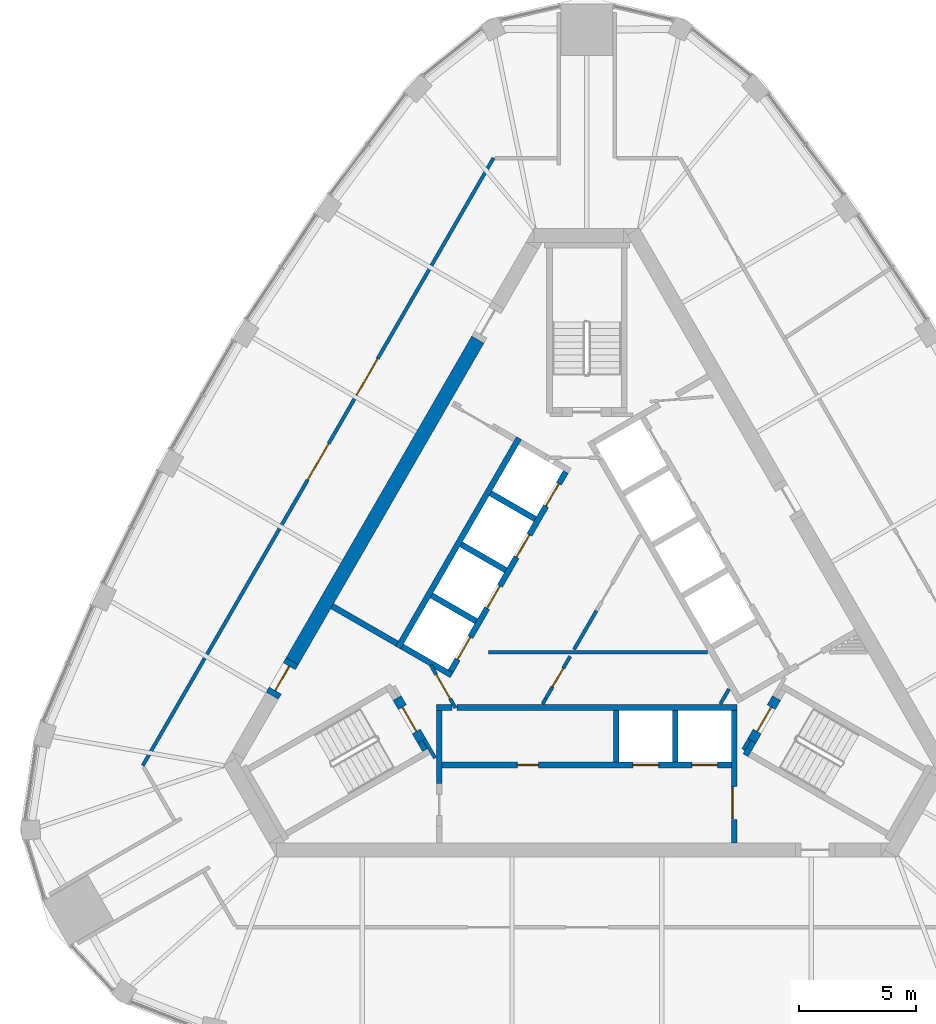
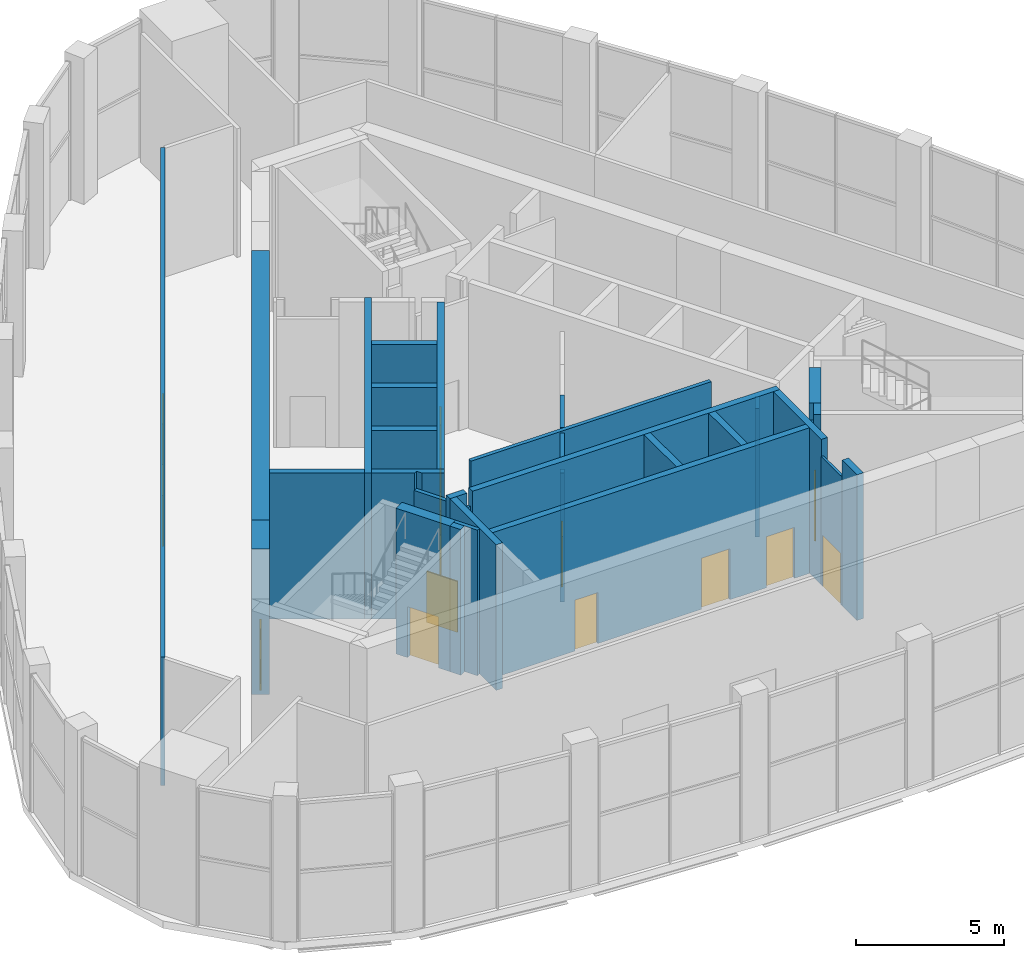
# One storey, part 10 of 15: 31 walls, 15 doors, 15 openings.
"""IFC4 building model written with IfcOpenShell, lengths in metres."""

from ifc_helpers import new_model, si_unit, direction, frame, frame_2d, origin, place, context, subcontext, project, spatial, polyline, rectangle, outline, extrude, material, layer, layer_set, type_object, element, fill, save


model = new_model("IFC4")

# Units and contexts
model_context = context("Model", 3, precision=1e-05, world=origin(), true_north=direction((0.0, 1.0)))
body_context = subcontext(model_context, "Body", "Model", "MODEL_VIEW")
ifc_project = project(units=[si_unit("LENGTHUNIT", "METRE"), si_unit("AREAUNIT", "SQUARE_METRE"), si_unit("VOLUMEUNIT", "CUBIC_METRE"), si_unit("PLANEANGLEUNIT", "RADIAN"), si_unit("MASSUNIT", "GRAM", prefix="KILO")], contexts=[model_context])

# Site, building, storey
site_placement = place(None, origin())
site = spatial("IfcSite", under=ifc_project, at=site_placement, CompositionType="ELEMENT")
building_placement = place(site_placement, origin())
building = spatial("IfcBuilding", under=site, at=building_placement, Name="Mestral Congress Tower", CompositionType="ELEMENT")
storey_placement = place(building_placement, frame((0.0, 0.0, 321.60009765625)))
storey = spatial("IfcBuildingStorey", under=building, at=storey_placement, Name="L75", CompositionType="ELEMENT", Elevation=321.60009765625)

# Walls
ifc_material_1 = material(Name="Fire-rated board partition")
ifc_layer_1 = layer(ifc_material_1, 0.14990234375)
ifc_layer_set_1 = layer_set([ifc_layer_1], Name="Fire-rated board partition")
wall_type_1 = type_object("IfcWallType", Name="Core partition 150", PredefinedType="PARTITIONING", material=ifc_layer_set_1)
wall_1_placement = place(storey_placement, frame((6.94482421875, -5.22216796875, 0.0), z_axis=(0.0, 0.0, 1.0), x_axis=(-0.499818422106, -0.866130212453, 0.0)))
element("IfcWall", 1, at=wall_1_placement, inside=storey, type_object=wall_type_1, Name="L75 core wall", PredefinedType="PARTITIONING", context=body_context, shape_type="SweptSolid", body=[
    extrude(rectangle(XDim=0.513916015625, YDim=0.14990234375, at=frame_2d((0.2568359375, 0.0))), origin(), (0.0, 0.0, 1.0), 5.2998046875),
])
wall_2_placement = place(storey_placement, frame((5.704833984375, -3.718017578125, 0.0), z_axis=(0.0, 0.0, 1.0), x_axis=(0.499962090823, 0.866047289552, 0.0)))
element("IfcWall", 2, at=wall_2_placement, inside=storey, type_object=wall_type_1, Name="L75 core wall", PredefinedType="PARTITIONING", context=body_context, shape_type="SweptSolid", body=[
    extrude(rectangle(XDim=0.73486328125, YDim=0.14990234375, at=frame_2d((0.367431640625, 0.0))), origin(), (0.0, 0.0, 1.0), 5.2998046875),
])
wall_3_placement = place(storey_placement, frame((-4.199951171875, -1.5, 0.0), z_axis=(0.0, 0.0, 1.0), x_axis=(1.0, 0.0, 0.0)))
element("IfcWall", 3, at=wall_3_placement, inside=storey, type_object=wall_type_1, Name="L75 core wall", PredefinedType="PARTITIONING", context=body_context, shape_type="SweptSolid", body=[
    extrude(rectangle(XDim=9.359375, YDim=0.14990234375, at=frame_2d((4.6796875, 0.0))), origin(), (0.0, 0.0, 1.0), 5.2998046875),
])
wall_4_placement = place(storey_placement, frame((-0.54443359375, -1.393310546875, 0.0), z_axis=(0.0, 0.0, 1.0), x_axis=(0.499928740635, 0.866066541489, 0.0)))
element("IfcWall", 4, at=wall_4_placement, inside=storey, type_object=wall_type_1, Name="L75 core wall", PredefinedType="PARTITIONING", context=body_context, shape_type="SweptSolid", body=[
    extrude(rectangle(XDim=1.912353515625, YDim=0.14990234375, at=frame_2d((0.9560546875, 0.0))), origin(), (0.0, 0.0, 1.0), 5.2998046875),
])
wall_5_placement = place(storey_placement, frame((-1.886962890625, -3.71826171875, 0.0), z_axis=(0.0, 0.0, 1.0), x_axis=(0.500165633897, 0.865929753888, 0.0)))
element("IfcWall", 5, at=wall_5_placement, inside=storey, type_object=wall_type_1, Name="L75 core wall", PredefinedType="PARTITIONING", context=body_context, shape_type="SweptSolid", body=[
    extrude(rectangle(XDim=0.25439453125, YDim=0.14990234375, at=frame_2d((0.127197265625, 0.0))), origin(), (0.0, 0.0, 1.0), 5.2998046875),
])

# Wall, opening, door
wall_6_placement = place(storey_placement, frame((-1.759765625, -3.498046875, 0.0), z_axis=(0.0, 0.0, 1.0), x_axis=(0.499977374825, 0.866038466041, 0.0)))
wall_6 = element("IfcWall", 6, at=wall_6_placement, inside=storey, type_object=wall_type_1, Name="L75 door wall", PredefinedType="PARTITIONING", context=body_context, shape_type="SweptSolid", body=[
    extrude(rectangle(XDim=2.10009765625, YDim=0.14990234375, at=frame_2d((1.050048828125, 0.0))), origin(), (0.0, 0.0, 1.0), 5.2998046875),
])
opening_1_placement = place(wall_6_placement, frame((0.60009765625, 0.0, 0.0)))
opening_1 = element("IfcOpeningElement", 7, at=opening_1_placement, cuts=wall_6, Name="Opening CD1-HUB0", PredefinedType="OPENING", context=body_context, shape_type="SweptSolid", body=[
    extrude(rectangle(XDim=0.89990234375, YDim=2.10009765625, at=frame_2d((0.449951171875, 1.050048828125))), frame((0.0, 0.0849609375, 0.0), z_axis=(0.0, -1.0, 0.0), x_axis=(1.0, 0.0, 0.0)), (0.0, 0.0, 1.0), 0.169921875),
])
ifc_material_2 = material(Name="Fire-rated steel door set", Category="steel")
door_type_1 = type_object("IfcDoorType", Name="Core door CD 900x2100", OperationType="SINGLE_SWING_LEFT", PredefinedType="DOOR", material=ifc_material_2)
door_1_placement = place(opening_1_placement, origin())
door_1 = element("IfcDoor", 8, at=door_1_placement, inside=storey, type_object=door_type_1, Name="Door CD1-HUB0", OperationType="SINGLE_SWING_LEFT", OverallHeight=2.10009765625, OverallWidth=0.89990234375, PredefinedType="DOOR", context=body_context, shape_type="SweptSolid", body=[
    extrude(rectangle(XDim=0.89990234375, YDim=2.10009765625, at=frame_2d((0.449951171875, 1.050048828125))), frame((0.0, 0.02490234375, 0.0), z_axis=(0.0, -1.0, 0.0), x_axis=(1.0, 0.0, 0.0)), (0.0, 0.0, 1.0), 0.050048828125),
])
fill(opening_1, door_1)

wall_7_placement = place(storey_placement, frame((-5.606201171875, -3.8896484375, 0.0), z_axis=(0.0, 0.0, 1.0), x_axis=(-0.500027713859, 0.866009402589, 0.0)))
wall_7 = element("IfcWall", 9, at=wall_7_placement, inside=storey, type_object=wall_type_1, Name="L75 door wall", PredefinedType="PARTITIONING", context=body_context, shape_type="SweptSolid", body=[
    extrude(rectangle(XDim=2.10009765625, YDim=0.14990234375, at=frame_2d((1.050048828125, 0.0))), origin(), (0.0, 0.0, 1.0), 5.2998046875),
])
opening_2_placement = place(wall_7_placement, frame((0.449951171875, 0.0, 0.0)))
opening_2 = element("IfcOpeningElement", 10, at=opening_2_placement, cuts=wall_7, Name="Opening CD3-FF", PredefinedType="OPENING", context=body_context, shape_type="SweptSolid", body=[
    extrude(rectangle(XDim=1.199951171875, YDim=2.10009765625, at=frame_2d((0.60009765625, 1.050048828125))), frame((0.0, 0.0849609375, 0.0), z_axis=(0.0, -1.0, 0.0), x_axis=(1.0, 0.0, 0.0)), (0.0, 0.0, 1.0), 0.169921875),
])
door_type_2 = type_object("IfcDoorType", Name="Core door CD 1200x2100", OperationType="SINGLE_SWING_LEFT", PredefinedType="DOOR", material=ifc_material_2)
door_2_placement = place(opening_2_placement, origin())
door_2 = element("IfcDoor", 11, at=door_2_placement, inside=storey, type_object=door_type_2, Name="Door CD3-FF", OperationType="SINGLE_SWING_LEFT", OverallHeight=2.10009765625, OverallWidth=1.199951171875, PredefinedType="DOOR", context=body_context, shape_type="SweptSolid", body=[
    extrude(rectangle(XDim=1.199951171875, YDim=2.10009765625, at=frame_2d((0.60009765625, 1.050048828125))), frame((0.0, 0.02490234375, 0.0), z_axis=(0.0, -1.0, 0.0), x_axis=(1.0, 0.0, 0.0)), (0.0, 0.0, 1.0), 0.050048828125),
])
fill(opening_2, door_2)

ifc_layer_2 = layer(ifc_material_1, 0.090087890625)
ifc_layer_set_2 = layer_set([ifc_layer_2], Name="Fire-rated board partition")
wall_type_2 = type_object("IfcWallType", Name="Core partition 150 door-wall 90", PredefinedType="PARTITIONING", material=ifc_layer_set_2)
wall_8_placement = place(storey_placement, frame((6.219970703125, -7.23681640625, 0.0), z_axis=(0.0, 0.0, 1.0), x_axis=(0.0, -1.0, 0.0)))
wall_8 = element("IfcWall", 12, at=wall_8_placement, inside=storey, type_object=wall_type_2, Name="L75 door wall", PredefinedType="PARTITIONING", context=body_context, shape_type="SweptSolid", body=[
    extrude(rectangle(XDim=1.400146484375, YDim=0.090087890625, at=frame_2d((0.7001953125, 0.0))), origin(), (0.0, 0.0, 1.0), 5.2998046875),
])
opening_3_placement = place(wall_8_placement, frame((0.10009765625, 0.0, 0.0)))
opening_3 = element("IfcOpeningElement", 13, at=opening_3_placement, cuts=wall_8, Name="Opening LB0-WL1", PredefinedType="OPENING", context=body_context, shape_type="SweptSolid", body=[
    extrude(rectangle(XDim=1.199951171875, YDim=2.10009765625, at=frame_2d((0.60009765625, 1.050048828125))), frame((0.0, 0.054931640625, 0.0), z_axis=(0.0, -1.0, 0.0), x_axis=(1.0, 0.0, 0.0)), (0.0, 0.0, 1.0), 0.110107421875),
])
door_type_3 = type_object("IfcDoorType", Name="Core door LB 1200x2100", OperationType="SINGLE_SWING_LEFT", PredefinedType="DOOR", material=ifc_material_2)
door_3_placement = place(opening_3_placement, origin())
door_3 = element("IfcDoor", 14, at=door_3_placement, inside=storey, type_object=door_type_3, Name="Door LB0-WL1", OperationType="SINGLE_SWING_LEFT", OverallHeight=2.10009765625, OverallWidth=1.199951171875, PredefinedType="DOOR", context=body_context, shape_type="SweptSolid", body=[
    extrude(rectangle(XDim=1.199951171875, YDim=2.10009765625, at=frame_2d((0.60009765625, 1.050048828125))), frame((0.0, 0.02490234375, 0.0), z_axis=(0.0, -1.0, 0.0), x_axis=(1.0, 0.0, 0.0)), (0.0, 0.0, 1.0), 0.050048828125),
])
fill(opening_3, door_3)

# Wall
ifc_material_3 = material(Name="Concrete C60/75", Category="concrete")
ifc_layer_3 = layer(ifc_material_3, 0.60009765625)
ifc_layer_set_3 = layer_set([ifc_layer_3], Name="Concrete C60/75")
wall_type_3 = type_object("IfcWallType", Name="Core wall RC 600", PredefinedType="SOLIDWALL", material=ifc_layer_set_3)
wall_9_placement = place(storey_placement, frame((-4.65234375, 11.841796875, 0.0), z_axis=(0.0, 0.0, 1.0), x_axis=(-0.500003640647, -0.866023301845, 0.0)))
element("IfcWall", 15, at=wall_9_placement, inside=storey, type_object=wall_type_3, Name="L75 core wall", PredefinedType="SOLIDWALL", context=body_context, shape_type="SweptSolid", body=[
    extrude(rectangle(XDim=15.8583984375, YDim=0.60009765625, at=frame_2d((7.92919921875, 0.0))), origin(), (0.0, 0.0, 1.0), 6.0),
])

# Wall, opening, door
wall_10_placement = place(storey_placement, frame((-13.431640625, -3.3642578125, 0.0), z_axis=(0.0, 0.0, 1.0), x_axis=(0.500000056704, 0.866025371046, 0.0)))
wall_10 = element("IfcWall", 16, at=wall_10_placement, inside=storey, type_object=wall_type_3, Name="L75 door wall", PredefinedType="SOLIDWALL", context=body_context, shape_type="SweptSolid", body=[
    extrude(rectangle(XDim=1.7001953125, YDim=0.60009765625, at=frame_2d((0.85009765625, 0.0))), origin(), (0.0, 0.0, 1.0), 6.0),
])
opening_4_placement = place(wall_10_placement, frame((0.25, 0.0, 0.0)))
opening_4 = element("IfcOpeningElement", 17, at=opening_4_placement, cuts=wall_10, Name="Opening XD3", PredefinedType="OPENING", context=body_context, shape_type="SweptSolid", body=[
    extrude(rectangle(XDim=1.199951171875, YDim=2.10009765625, at=frame_2d((0.60009765625, 1.050048828125))), frame((0.0, 0.31005859375, 0.0), z_axis=(0.0, -1.0, 0.0), x_axis=(1.0, 0.0, 0.0)), (0.0, 0.0, 1.0), 0.6201171875),
])
door_type_4 = type_object("IfcDoorType", Name="Core door XD 1200x2100", OperationType="SINGLE_SWING_LEFT", PredefinedType="DOOR", material=ifc_material_2)
door_4_placement = place(opening_4_placement, origin())
door_4 = element("IfcDoor", 18, at=door_4_placement, inside=storey, type_object=door_type_4, Name="Door XD3", OperationType="SINGLE_SWING_LEFT", OverallHeight=2.10009765625, OverallWidth=1.199951171875, PredefinedType="DOOR", context=body_context, shape_type="SweptSolid", body=[
    extrude(rectangle(XDim=1.199951171875, YDim=2.10009765625, at=frame_2d((0.60009765625, 1.050048828125))), frame((0.0, 0.02490234375, 0.0), z_axis=(0.0, -1.0, 0.0), x_axis=(1.0, 0.0, 0.0)), (0.0, 0.0, 1.0), 0.050048828125),
])
fill(opening_4, door_4)

# Walls
ifc_layer_4 = layer(ifc_material_3, 0.25)
ifc_layer_set_4 = layer_set([ifc_layer_4], Name="Concrete C60/75")
wall_type_4 = type_object("IfcWallType", Name="Shaft wall RC 250", PredefinedType="SOLIDWALL", material=ifc_layer_set_4)
wall_11_placement = place(storey_placement, frame((-5.544921875, -3.875, 0.0), z_axis=(0.0, 0.0, 1.0), x_axis=(1.0, 0.0, 0.0)))
element("IfcWall", 19, at=wall_11_placement, inside=storey, type_object=wall_type_4, Name="L75 core wall", PredefinedType="SOLIDWALL", context=body_context, shape_type="SweptSolid", body=[
    extrude(rectangle(XDim=11.969970703125, YDim=0.25, at=frame_2d((5.98486328125, 0.0))), origin(), (0.0, 0.0, 1.0), 6.0),
])
wall_12_placement = place(storey_placement, frame((-6.425048828125, -3.875, 0.0), z_axis=(0.0, 0.0, 1.0), x_axis=(1.0, 0.0, 0.0)))
element("IfcWall", 20, at=wall_12_placement, inside=storey, type_object=wall_type_4, Name="L75 core wall", PredefinedType="SOLIDWALL", context=body_context, shape_type="SweptSolid", body=[
    extrude(rectangle(XDim=0.657958984375, YDim=0.25, at=frame_2d((0.3291015625, 0.0))), origin(), (0.0, 0.0, 1.0), 6.0),
])
wall_13_placement = place(storey_placement, frame((6.300048828125, -7.239990234375, 0.0), z_axis=(0.0, 0.0, 1.0), x_axis=(0.0, 1.0, 0.0)))
element("IfcWall", 21, at=wall_13_placement, inside=storey, type_object=wall_type_4, Name="L75 core wall", PredefinedType="SOLIDWALL", context=body_context, shape_type="SweptSolid", body=[
    extrude(rectangle(XDim=3.239990234375, YDim=0.25, at=frame_2d((1.6201171875, 0.0))), origin(), (0.0, 0.0, 1.0), 6.0),
])
wall_14_placement = place(storey_placement, frame((6.300048828125, -9.64990234375, 0.0), z_axis=(0.0, 0.0, 1.0), x_axis=(0.0, 1.0, 0.0)))
element("IfcWall", 22, at=wall_14_placement, inside=storey, type_object=wall_type_4, Name="L75 core wall", PredefinedType="SOLIDWALL", context=body_context, shape_type="SweptSolid", body=[
    extrude(rectangle(XDim=1.0078125, YDim=0.25, at=frame_2d((0.50390625, 0.0))), origin(), (0.0, 0.0, 1.0), 6.0),
])
for number, where, z_axis, x_axis, name in (
    (23, (3.780029296875, -4.0, 0.0), (0.0, 0.0, 1.0), (0.0, -1.0, 0.0), "L75 core wall"),
    (24, (1.260009765625, -4.0, 0.0), (0.0, 0.0, 1.0), (0.0, -1.0, 0.0), "L75 core wall"),
):
    element("IfcWall", number, at=place(storey_placement, frame(where, z_axis=z_axis, x_axis=x_axis)), inside=storey, type_object=wall_type_4, Name=name, PredefinedType="SOLIDWALL", context=body_context, shape_type="SweptSolid", body=[
        extrude(rectangle(XDim=2.199951171875, YDim=0.25, at=frame_2d((1.10009765625, 0.0))), origin(), (0.0, 0.0, 1.0), 6.0),
    ])
wall_15_placement = place(storey_placement, frame((-6.300048828125, -7.12451171875, 0.0), z_axis=(0.0, 0.0, 1.0), x_axis=(0.0, 1.0, 0.0)))
element("IfcWall", 25, at=wall_15_placement, inside=storey, type_object=wall_type_4, Name="L75 core wall", PredefinedType="SOLIDWALL", context=body_context, shape_type="SweptSolid", body=[
    extrude(rectangle(XDim=3.12451171875, YDim=0.25, at=frame_2d((1.562255859375, 0.0))), origin(), (0.0, 0.0, 1.0), 6.0),
])
wall_16_placement = place(storey_placement, frame((-8.06005859375, -1.310546875, 0.0), z_axis=(0.0, 0.0, 1.0), x_axis=(0.50000273126, 0.866023826885, 0.0)))
element("IfcWall", 26, at=wall_16_placement, inside=storey, type_object=wall_type_4, Name="L75 core wall", PredefinedType="SOLIDWALL", context=body_context, shape_type="SweptSolid", body=[
    extrude(rectangle(XDim=10.330078125, YDim=0.25, at=frame_2d((5.1650390625, 0.0))), origin(), (0.0, 0.0, 1.0), 6.0),
])
for number, where, z_axis, x_axis, name in (
    (27, (-2.2041015625, 4.182373046875, 0.0), (0.0, 0.0, 1.0), (-0.866008176907, 0.50002983664, 0.0), "L75 core wall"),
    (28, (-5.369384765625, 3.10009765625, 0.0), (0.0, 0.0, 1.0), (0.866008176907, -0.50002983664, 0.0), "L75 core wall"),
    (29, (-4.72412109375, -0.182373046875, 0.0), (0.0, 0.0, 1.0), (-0.866008176907, 0.50002983664, 0.0), "L75 core wall"),
):
    element("IfcWall", number, at=place(storey_placement, frame(where, z_axis=z_axis, x_axis=x_axis)), inside=storey, type_object=wall_type_4, Name=name, PredefinedType="SOLIDWALL", context=body_context, shape_type="SweptSolid", body=[
        extrude(rectangle(XDim=2.199951171875, YDim=0.25, at=frame_2d((1.10009765625, 0.0))), origin(), (0.0, 0.0, 1.0), 6.0),
    ])
wall_17_placement = place(storey_placement, origin())
element("IfcWall", 30, at=wall_17_placement, inside=storey, type_object=wall_type_4, Name="L75 core wall", PredefinedType="SOLIDWALL", context=body_context, shape_type="SweptSolid", body=[
    extrude(outline(polyline([(-5.921630859375, -2.256591796875), (-5.921630859375, -2.256591796875), (-5.705078125, -2.381591796875), (-5.830078125, -2.597900390625), (-6.48291015625, -2.22119140625), (-6.59130859375, -2.033447265625), (-6.59130859375, -2.033447265625), (-6.69970703125, -2.095947265625), (-7.951904296875, -1.373046875), (-7.826904296875, -1.156494140625), (-5.921630859375, -2.256591796875)])), origin(), (0.0, 0.0, 1.0), 6.0),
])
wall_18_placement = place(storey_placement, frame((-8.10595703125, -1.139892578125, 0.0), z_axis=(0.0, 0.0, 1.0), x_axis=(-0.866008981251, 0.500028443584, 0.0)))
element("IfcWall", 31, at=wall_18_placement, inside=storey, type_object=wall_type_4, Name="L75 core wall", PredefinedType="SOLIDWALL", context=body_context, shape_type="SweptSolid", body=[
    extrude(rectangle(XDim=3.199951171875, YDim=0.25, at=frame_2d((1.60009765625, 0.0))), origin(), (0.0, 0.0, 1.0), 6.0),
])

# Wall, openings, doors
wall_19_placement = place(storey_placement, frame((-6.175048828125, -6.324951171875, 0.0), z_axis=(0.0, 0.0, 1.0), x_axis=(1.0, 0.0, 0.0)))
wall_19 = element("IfcWall", 32, at=wall_19_placement, inside=storey, type_object=wall_type_4, Name="L75 door wall", PredefinedType="SOLIDWALL", context=body_context, shape_type="SweptSolid", body=[
    extrude(rectangle(XDim=12.35009765625, YDim=0.25, at=frame_2d((6.175048828125, 0.0))), origin(), (0.0, 0.0, 1.0), 6.0),
])
opening_5_placement = place(wall_19_placement, frame((3.205078125, 0.0, 0.0)))
opening_5 = element("IfcOpeningElement", 33, at=opening_5_placement, cuts=wall_19, Name="Opening SR-SOB1", PredefinedType="OPENING", context=body_context, shape_type="SweptSolid", body=[
    extrude(rectangle(XDim=0.89990234375, YDim=2.10009765625, at=frame_2d((0.449951171875, 1.050048828125))), frame((0.0, 0.135009765625, 0.0), z_axis=(0.0, -1.0, 0.0), x_axis=(1.0, 0.0, 0.0)), (0.0, 0.0, 1.0), 0.27001953125),
])
opening_6_placement = place(wall_19_placement, frame((8.14501953125, 0.0, 0.0)))
opening_6 = element("IfcOpeningElement", 34, at=opening_6_placement, cuts=wall_19, Name="Opening LD-SOB4", PredefinedType="OPENING", context=body_context, shape_type="SweptSolid", body=[
    extrude(rectangle(XDim=1.10009765625, YDim=2.10009765625, at=frame_2d((0.550048828125, 1.050048828125))), frame((0.0, 0.135009765625, 0.0), z_axis=(0.0, -1.0, 0.0), x_axis=(1.0, 0.0, 0.0)), (0.0, 0.0, 1.0), 0.27001953125),
])
opening_7_placement = place(wall_19_placement, frame((10.6650390625, 0.0, 0.0)))
opening_7 = element("IfcOpeningElement", 35, at=opening_7_placement, cuts=wall_19, Name="Opening LD-SOB5", PredefinedType="OPENING", context=body_context, shape_type="SweptSolid", body=[
    extrude(rectangle(XDim=1.10009765625, YDim=2.10009765625, at=frame_2d((0.550048828125, 1.050048828125))), frame((0.0, 0.135009765625, 0.0), z_axis=(0.0, -1.0, 0.0), x_axis=(1.0, 0.0, 0.0)), (0.0, 0.0, 1.0), 0.27001953125),
])
door_type_5 = type_object("IfcDoorType", Name="Core door LD 1100x2100", OperationType="DOUBLE_DOOR_SLIDING", PredefinedType="DOOR", material=ifc_material_2)
door_5_placement = place(opening_6_placement, origin())
door_5 = element("IfcDoor", 36, at=door_5_placement, inside=storey, type_object=door_type_5, Name="Door LD-SOB4", OperationType="DOUBLE_DOOR_SLIDING", OverallHeight=2.10009765625, OverallWidth=1.10009765625, PredefinedType="DOOR", context=body_context, shape_type="SweptSolid", body=[
    extrude(rectangle(XDim=1.10009765625, YDim=2.10009765625, at=frame_2d((0.550048828125, 1.050048828125))), frame((0.0, 0.02490234375, 0.0), z_axis=(0.0, -1.0, 0.0), x_axis=(1.0, 0.0, 0.0)), (0.0, 0.0, 1.0), 0.050048828125),
])
fill(opening_6, door_5)
door_6_placement = place(opening_7_placement, origin())
door_6 = element("IfcDoor", 37, at=door_6_placement, inside=storey, type_object=door_type_5, Name="Door LD-SOB5", OperationType="DOUBLE_DOOR_SLIDING", OverallHeight=2.10009765625, OverallWidth=1.10009765625, PredefinedType="DOOR", context=body_context, shape_type="SweptSolid", body=[
    extrude(rectangle(XDim=1.10009765625, YDim=2.10009765625, at=frame_2d((0.550048828125, 1.050048828125))), frame((0.0, 0.02490234375, 0.0), z_axis=(0.0, -1.0, 0.0), x_axis=(1.0, 0.0, 0.0)), (0.0, 0.0, 1.0), 0.050048828125),
])
fill(opening_7, door_6)
door_type_6 = type_object("IfcDoorType", Name="Core door SR 900x2100", OperationType="SINGLE_SWING_LEFT", PredefinedType="DOOR", material=ifc_material_2)
door_7_placement = place(opening_5_placement, origin())
door_7 = element("IfcDoor", 38, at=door_7_placement, inside=storey, type_object=door_type_6, Name="Door SR-SOB1", OperationType="SINGLE_SWING_LEFT", OverallHeight=2.10009765625, OverallWidth=0.89990234375, PredefinedType="DOOR", context=body_context, shape_type="SweptSolid", body=[
    extrude(rectangle(XDim=0.89990234375, YDim=2.10009765625, at=frame_2d((0.449951171875, 1.050048828125))), frame((0.0, 0.02490234375, 0.0), z_axis=(0.0, -1.0, 0.0), x_axis=(1.0, 0.0, 0.0)), (0.0, 0.0, 1.0), 0.050048828125),
])
fill(opening_5, door_7)

wall_20_placement = place(storey_placement, frame((-0.898193359375, 6.194091796875, 0.0), z_axis=(0.0, 0.0, 1.0), x_axis=(-0.499996202215, -0.866027596426, 0.0)))
wall_20 = element("IfcWall", 39, at=wall_20_placement, inside=storey, type_object=wall_type_4, Name="L75 door wall", PredefinedType="SOLIDWALL", context=body_context, shape_type="SweptSolid", body=[
    extrude(rectangle(XDim=9.830078125, YDim=0.25, at=frame_2d((4.9150390625, 0.0))), origin(), (0.0, 0.0, 1.0), 6.0),
])
opening_8_placement = place(wall_20_placement, frame((0.5849609375, 0.0, 0.0)))
opening_8 = element("IfcOpeningElement", 40, at=opening_8_placement, cuts=wall_20, Name="Opening LD-NWB1", PredefinedType="OPENING", context=body_context, shape_type="SweptSolid", body=[
    extrude(rectangle(XDim=1.10009765625, YDim=2.10009765625, at=frame_2d((0.550048828125, 1.050048828125))), frame((0.0, 0.135009765625, 0.0), z_axis=(0.0, -1.0, 0.0), x_axis=(1.0, 0.0, 0.0)), (0.0, 0.0, 1.0), 0.27001953125),
])
opening_9_placement = place(wall_20_placement, frame((3.10498046875, 0.0, 0.0)))
opening_9 = element("IfcOpeningElement", 41, at=opening_9_placement, cuts=wall_20, Name="Opening LD-NWB2", PredefinedType="OPENING", context=body_context, shape_type="SweptSolid", body=[
    extrude(rectangle(XDim=1.10009765625, YDim=2.10009765625, at=frame_2d((0.550048828125, 1.050048828125))), frame((0.0, 0.135009765625, 0.0), z_axis=(0.0, -1.0, 0.0), x_axis=(1.0, 0.0, 0.0)), (0.0, 0.0, 1.0), 0.27001953125),
])
opening_10_placement = place(wall_20_placement, frame((5.625, 0.0, 0.0)))
opening_10 = element("IfcOpeningElement", 42, at=opening_10_placement, cuts=wall_20, Name="Opening LD-NWB3", PredefinedType="OPENING", context=body_context, shape_type="SweptSolid", body=[
    extrude(rectangle(XDim=1.10009765625, YDim=2.10009765625, at=frame_2d((0.550048828125, 1.050048828125))), frame((0.0, 0.135009765625, 0.0), z_axis=(0.0, -1.0, 0.0), x_axis=(1.0, 0.0, 0.0)), (0.0, 0.0, 1.0), 0.27001953125),
])
opening_11_placement = place(wall_20_placement, frame((8.14501953125, 0.0, 0.0)))
opening_11 = element("IfcOpeningElement", 43, at=opening_11_placement, cuts=wall_20, Name="Opening LD-NWB4", PredefinedType="OPENING", context=body_context, shape_type="SweptSolid", body=[
    extrude(rectangle(XDim=1.10009765625, YDim=2.10009765625, at=frame_2d((0.550048828125, 1.050048828125))), frame((0.0, 0.135009765625, 0.0), z_axis=(0.0, -1.0, 0.0), x_axis=(1.0, 0.0, 0.0)), (0.0, 0.0, 1.0), 0.27001953125),
])
door_8_placement = place(opening_8_placement, origin())
door_8 = element("IfcDoor", 44, at=door_8_placement, inside=storey, type_object=door_type_5, Name="Door LD-NWB1", OperationType="DOUBLE_DOOR_SLIDING", OverallHeight=2.10009765625, OverallWidth=1.10009765625, PredefinedType="DOOR", context=body_context, shape_type="SweptSolid", body=[
    extrude(rectangle(XDim=1.10009765625, YDim=2.10009765625, at=frame_2d((0.550048828125, 1.050048828125))), frame((0.0, 0.02490234375, 0.0), z_axis=(0.0, -1.0, 0.0), x_axis=(1.0, 0.0, 0.0)), (0.0, 0.0, 1.0), 0.050048828125),
])
fill(opening_8, door_8)
door_9_placement = place(opening_9_placement, origin())
door_9 = element("IfcDoor", 45, at=door_9_placement, inside=storey, type_object=door_type_5, Name="Door LD-NWB2", OperationType="DOUBLE_DOOR_SLIDING", OverallHeight=2.10009765625, OverallWidth=1.10009765625, PredefinedType="DOOR", context=body_context, shape_type="SweptSolid", body=[
    extrude(rectangle(XDim=1.10009765625, YDim=2.10009765625, at=frame_2d((0.550048828125, 1.050048828125))), frame((0.0, 0.02490234375, 0.0), z_axis=(0.0, -1.0, 0.0), x_axis=(1.0, 0.0, 0.0)), (0.0, 0.0, 1.0), 0.050048828125),
])
fill(opening_9, door_9)
door_10_placement = place(opening_10_placement, origin())
door_10 = element("IfcDoor", 46, at=door_10_placement, inside=storey, type_object=door_type_5, Name="Door LD-NWB3", OperationType="DOUBLE_DOOR_SLIDING", OverallHeight=2.10009765625, OverallWidth=1.10009765625, PredefinedType="DOOR", context=body_context, shape_type="SweptSolid", body=[
    extrude(rectangle(XDim=1.10009765625, YDim=2.10009765625, at=frame_2d((0.550048828125, 1.050048828125))), frame((0.0, 0.02490234375, 0.0), z_axis=(0.0, -1.0, 0.0), x_axis=(1.0, 0.0, 0.0)), (0.0, 0.0, 1.0), 0.050048828125),
])
fill(opening_10, door_10)
door_11_placement = place(opening_11_placement, origin())
door_11 = element("IfcDoor", 47, at=door_11_placement, inside=storey, type_object=door_type_5, Name="Door LD-NWB4", OperationType="DOUBLE_DOOR_SLIDING", OverallHeight=2.10009765625, OverallWidth=1.10009765625, PredefinedType="DOOR", context=body_context, shape_type="SweptSolid", body=[
    extrude(rectangle(XDim=1.10009765625, YDim=2.10009765625, at=frame_2d((0.550048828125, 1.050048828125))), frame((0.0, 0.02490234375, 0.0), z_axis=(0.0, -1.0, 0.0), x_axis=(1.0, 0.0, 0.0)), (0.0, 0.0, 1.0), 0.050048828125),
])
fill(opening_11, door_11)

# Wall
ifc_layer_5 = layer(ifc_material_3, 0.14990234375)
ifc_layer_set_5 = layer_set([ifc_layer_5], Name="Concrete C60/75")
wall_type_5 = type_object("IfcWallType", Name="Shaft wall RC 250 door-wall 150", PredefinedType="SOLIDWALL", material=ifc_layer_set_5)
wall_21_placement = place(storey_placement, frame((-6.48046875, -6.026611328125, 0.0), z_axis=(0.0, 0.0, 1.0), x_axis=(-0.499927229454, 0.866067413802, 0.0)))
element("IfcWall", 48, at=wall_21_placement, inside=storey, type_object=wall_type_5, Name="L75 core wall", PredefinedType="PARTITIONING", context=body_context, shape_type="SweptSolid", body=[
    extrude(rectangle(XDim=0.928955078125, YDim=0.14990234375, at=frame_2d((0.46435546875, 0.0))), origin(), (0.0, 0.0, 1.0), 6.0),
])

# Wall, openings, doors
ifc_layer_6 = layer(ifc_material_1, 0.14990234375)
ifc_layer_set_6 = layer_set([ifc_layer_6], Name="Fire-rated board partition")
wall_type_6 = type_object("IfcWallType", Name="Special partition 150 EI 180", PredefinedType="PARTITIONING", material=ifc_layer_set_6)
wall_22_placement = place(storey_placement, frame((-3.983642578125, 19.60009765625, 0.0), z_axis=(0.0, 0.0, 1.0), x_axis=(-0.500001742692, -0.866024397638, 0.0)))
wall_22 = element("IfcWall", 49, at=wall_22_placement, inside=storey, type_object=wall_type_6, Name="Partition", PredefinedType="PARTITIONING", context=body_context, shape_type="SweptSolid", body=[
    extrude(rectangle(XDim=29.96484375, YDim=0.14990234375, at=frame_2d((14.982421875, 0.0))), origin(), (0.0, 0.0, 1.0), 5.2998046875),
])
opening_12_placement = place(wall_22_placement, frame((14.082275390625, 0.0, 0.0)))
opening_12 = element("IfcOpeningElement", 50, at=opening_12_placement, cuts=wall_22, Name="Opening T75-001", PredefinedType="OPENING", context=body_context, shape_type="SweptSolid", body=[
    extrude(rectangle(XDim=1.800048828125, YDim=2.10009765625, at=frame_2d((0.89990234375, 1.050048828125))), frame((0.0, 0.0849609375, 0.0), z_axis=(0.0, -1.0, 0.0), x_axis=(1.0, 0.0, 0.0)), (0.0, 0.0, 1.0), 0.169921875),
])
opening_13_placement = place(wall_22_placement, frame((9.8935546875, 0.0, 0.0)))
opening_13 = element("IfcOpeningElement", 51, at=opening_13_placement, cuts=wall_22, Name="Opening T75-002", PredefinedType="OPENING", context=body_context, shape_type="SweptSolid", body=[
    extrude(rectangle(XDim=1.800048828125, YDim=2.10009765625, at=frame_2d((0.89990234375, 1.050048828125))), frame((0.0, 0.0849609375, 0.0), z_axis=(0.0, -1.0, 0.0), x_axis=(1.0, 0.0, 0.0)), (0.0, 0.0, 1.0), 0.169921875),
])
door_type_7 = type_object("IfcDoorType", Name="Assembly double door 1800x2100", OperationType="DOUBLE_DOOR_SINGLE_SWING", PredefinedType="DOOR", material=ifc_material_2)
door_12_placement = place(opening_12_placement, origin())
door_12 = element("IfcDoor", 52, at=door_12_placement, inside=storey, type_object=door_type_7, Name="Door T75-001", OperationType="DOUBLE_DOOR_SINGLE_SWING", OverallHeight=2.10009765625, OverallWidth=1.800048828125, PredefinedType="DOOR", context=body_context, shape_type="SweptSolid", body=[
    extrude(rectangle(XDim=1.800048828125, YDim=2.10009765625, at=frame_2d((0.89990234375, 1.050048828125))), frame((0.0, 0.02490234375, 0.0), z_axis=(0.0, -1.0, 0.0), x_axis=(1.0, 0.0, 0.0)), (0.0, 0.0, 1.0), 0.050048828125),
])
fill(opening_12, door_12)
door_13_placement = place(opening_13_placement, origin())
door_13 = element("IfcDoor", 53, at=door_13_placement, inside=storey, type_object=door_type_7, Name="Door T75-002", OperationType="DOUBLE_DOOR_SINGLE_SWING", OverallHeight=2.10009765625, OverallWidth=1.800048828125, PredefinedType="DOOR", context=body_context, shape_type="SweptSolid", body=[
    extrude(rectangle(XDim=1.800048828125, YDim=2.10009765625, at=frame_2d((0.89990234375, 1.050048828125))), frame((0.0, 0.02490234375, 0.0), z_axis=(0.0, -1.0, 0.0), x_axis=(1.0, 0.0, 0.0)), (0.0, 0.0, 1.0), 0.050048828125),
])
fill(opening_13, door_13)

# Walls
ifc_layer_7 = layer(ifc_material_3, 0.25)
ifc_layer_set_7 = layer_set([ifc_layer_7], Name="Concrete C60/75")
wall_type_7 = type_object("IfcWallType", Name="Stair wall RC 250", PredefinedType="SOLIDWALL", material=ifc_layer_set_7)
wall_23_placement = place(storey_placement, frame((6.780029296875, -5.906494140625, 0.0), z_axis=(0.0, 0.0, 1.0), x_axis=(0.500223362819, 0.865896406789, 0.0)))
element("IfcWall", 54, at=wall_23_placement, inside=storey, type_object=wall_type_7, Name="L75 core wall", PredefinedType="SOLIDWALL", context=body_context, shape_type="SweptSolid", body=[
    extrude(rectangle(XDim=0.675048828125, YDim=0.25, at=frame_2d((0.33740234375, 0.0))), origin(), (0.0, 0.0, 1.0), 6.0),
])
wall_24_placement = place(storey_placement, frame((-6.905029296875, -5.68994140625, 0.0), z_axis=(0.0, 0.0, 1.0), x_axis=(-0.500402024738, 0.865793170242, 0.0)))
element("IfcWall", 55, at=wall_24_placement, inside=storey, type_object=wall_type_7, Name="L75 core wall", PredefinedType="SOLIDWALL", context=body_context, shape_type="SweptSolid", body=[
    extrude(rectangle(XDim=0.425048828125, YDim=0.25, at=frame_2d((0.21240234375, 0.0))), origin(), (0.0, 0.0, 1.0), 6.0),
])

# Wall, opening, door
ifc_layer_8 = layer(ifc_material_3, 0.39990234375)
ifc_layer_set_8 = layer_set([ifc_layer_8], Name="Concrete C60/75")
wall_type_8 = type_object("IfcWallType", Name="Stair wall RC 250 door-wall 400", PredefinedType="SOLIDWALL", material=ifc_layer_set_8)
wall_25_placement = place(storey_placement, frame((7.052734375, -5.2841796875, 0.0), z_axis=(0.0, 0.0, 1.0), x_axis=(0.500078061341, 0.865980330357, 0.0)))
wall_25 = element("IfcWall", 56, at=wall_25_placement, inside=storey, type_object=wall_type_8, Name="L75 door wall", PredefinedType="SOLIDWALL", context=body_context, shape_type="SweptSolid", body=[
    extrude(rectangle(XDim=2.099853515625, YDim=0.39990234375, at=frame_2d((1.0498046875, 0.0))), origin(), (0.0, 0.0, 1.0), 6.0),
])
opening_14_placement = place(wall_25_placement, frame((0.449951171875, 0.0, 0.0)))
opening_14 = element("IfcOpeningElement", 57, at=opening_14_placement, cuts=wall_25, Name="Opening ST-D1", PredefinedType="OPENING", context=body_context, shape_type="SweptSolid", body=[
    extrude(rectangle(XDim=1.199951171875, YDim=2.10009765625, at=frame_2d((0.60009765625, 1.050048828125))), frame((0.0, 0.2099609375, 0.0), z_axis=(0.0, -1.0, 0.0), x_axis=(1.0, 0.0, 0.0)), (0.0, 0.0, 1.0), 0.419921875),
])
door_type_8 = type_object("IfcDoorType", Name="Core door ST 1200x2100", OperationType="SINGLE_SWING_LEFT", PredefinedType="DOOR", material=ifc_material_2)
door_14_placement = place(opening_14_placement, origin())
door_14 = element("IfcDoor", 58, at=door_14_placement, inside=storey, type_object=door_type_8, Name="Door ST-D1", OperationType="SINGLE_SWING_LEFT", OverallHeight=2.10009765625, OverallWidth=1.199951171875, PredefinedType="DOOR", context=body_context, shape_type="SweptSolid", body=[
    extrude(rectangle(XDim=1.199951171875, YDim=2.10009765625, at=frame_2d((0.60009765625, 1.050048828125))), frame((0.0, 0.02490234375, 0.0), z_axis=(0.0, -1.0, 0.0), x_axis=(1.0, 0.0, 0.0)), (0.0, 0.0, 1.0), 0.050048828125),
])
fill(opening_14, door_14)

wall_26_placement = place(storey_placement, frame((-8.102783203125, -3.4658203125, 0.0), z_axis=(0.0, 0.0, 1.0), x_axis=(0.500078061341, -0.865980330357, 0.0)))
wall_26 = element("IfcWall", 59, at=wall_26_placement, inside=storey, type_object=wall_type_8, Name="L75 door wall", PredefinedType="SOLIDWALL", context=body_context, shape_type="SweptSolid", body=[
    extrude(rectangle(XDim=2.099853515625, YDim=0.39990234375, at=frame_2d((1.0498046875, 0.0))), origin(), (0.0, 0.0, 1.0), 6.0),
])
opening_15_placement = place(wall_26_placement, frame((0.449951171875, 0.0, 0.0)))
opening_15 = element("IfcOpeningElement", 60, at=opening_15_placement, cuts=wall_26, Name="Opening ST-D3", PredefinedType="OPENING", context=body_context, shape_type="SweptSolid", body=[
    extrude(rectangle(XDim=1.199951171875, YDim=2.10009765625, at=frame_2d((0.60009765625, 1.050048828125))), frame((0.0, 0.2099609375, 0.0), z_axis=(0.0, -1.0, 0.0), x_axis=(1.0, 0.0, 0.0)), (0.0, 0.0, 1.0), 0.419921875),
])
door_15_placement = place(opening_15_placement, origin())
door_15 = element("IfcDoor", 61, at=door_15_placement, inside=storey, type_object=door_type_8, Name="Door ST-D3", OperationType="SINGLE_SWING_LEFT", OverallHeight=2.10009765625, OverallWidth=1.199951171875, PredefinedType="DOOR", context=body_context, shape_type="SweptSolid", body=[
    extrude(rectangle(XDim=1.199951171875, YDim=2.10009765625, at=frame_2d((0.60009765625, 1.050048828125))), frame((0.0, 0.02490234375, 0.0), z_axis=(0.0, -1.0, 0.0), x_axis=(1.0, 0.0, 0.0)), (0.0, 0.0, 1.0), 0.050048828125),
])
fill(opening_15, door_15)

save(model, "model.ifc")
